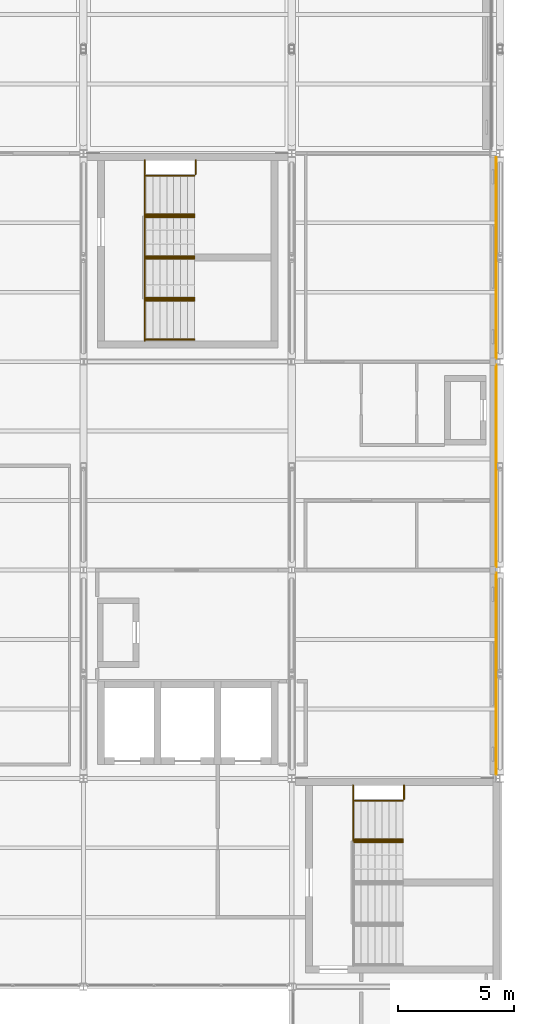
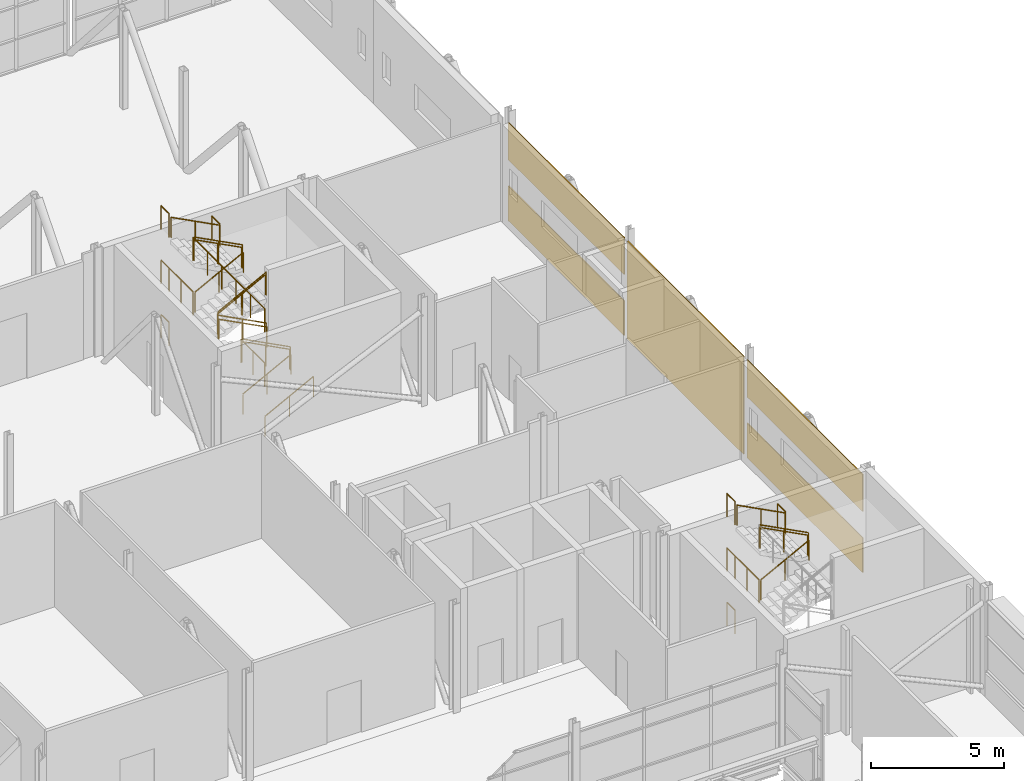
# One storey, part 93 of 94: 28 railings, 5 coverings.
"""IFC4 building model written with IfcOpenShell, lengths in metres."""

from ifc_helpers import new_model, si_unit, direction, frame, origin, origin_2d, place, context, subcontext, project, spatial, rectangle, circle, extrude, material, layer, layer_set, type_object, element, save


model = new_model("IFC4")

# Units and contexts
model_context = context("Model", 3, precision=1e-05, world=origin(), true_north=direction((0.0, 1.0)))
body_context = subcontext(model_context, "Body", "Model", "MODEL_VIEW")
ifc_project = project(units=[si_unit("LENGTHUNIT", "METRE"), si_unit("AREAUNIT", "SQUARE_METRE"), si_unit("VOLUMEUNIT", "CUBIC_METRE"), si_unit("PLANEANGLEUNIT", "RADIAN"), si_unit("MASSUNIT", "GRAM", prefix="KILO")], contexts=[model_context])

# Site, building, storey
site_placement = place(None, origin())
site = spatial("IfcSite", under=ifc_project, at=site_placement, CompositionType="ELEMENT")
building_placement = place(site_placement, origin())
building = spatial("IfcBuilding", under=site, at=building_placement, Name="Shorebreak Coast Museum", CompositionType="ELEMENT")
storey_placement = place(building_placement, frame((0.0, 0.0, 31.0)))
storey = spatial("IfcBuildingStorey", under=building, at=storey_placement, Name="L05", CompositionType="ELEMENT", Elevation=31.0)

# Railings
ifc_material_1 = material(Name="Steel Grade 300", Category="steel")
railing_type_1 = type_object("IfcRailingType", Name="Stair guard 1100", PredefinedType="GUARDRAIL", material=ifc_material_1)
railing_1_placement = place(storey_placement, frame((110.64990234375, 87.300048828125, 2.5)))
element("IfcRailing", 1, at=railing_1_placement, inside=storey, type_object=railing_type_1, Name="Guard ST04 L05 landing mid1", PredefinedType="GUARDRAIL", context=body_context, shape_type="SweptSolid", body=[
    extrude(circle(Radius=0.02490234375, at=origin_2d()), frame((0.0, 0.0, 1.0751953125), z_axis=(0.0, 1.0, 0.0), x_axis=(-1.0, 0.0, 0.0)), (0.0, 0.0, 1.0), 1.800048828125),
    extrude(circle(Radius=0.02001953125, at=origin_2d()), origin(), (0.0, 0.0, 1.0), 1.050048828125),
    extrude(circle(Radius=0.02001953125, at=origin_2d()), frame((0.0, 0.89990234375, 0.0)), (0.0, 0.0, 1.0), 1.050048828125),
    extrude(circle(Radius=0.02001953125, at=origin_2d()), frame((0.0, 1.800048828125, 0.0)), (0.0, 0.0, 1.0), 1.050048828125),
])
for number, where, name in (
    (2, (110.64990234375, 89.10009765625, 0.0), "Guard ST04 L05 landing strip"),
    (3, (110.64990234375, 89.10009765625, 2.5), "Guard ST04 L05 landing strip"),
    (4, (112.85009765625, 89.10009765625, 3.75), "Guard ST04 L05 landing strip"),
    (5, (110.64990234375, 89.10009765625, 5.0), "Guard ST04 L05 landing strip"),
):
    element("IfcRailing", number, at=place(storey_placement, frame(where)), inside=storey, type_object=railing_type_1, Name=name, PredefinedType="GUARDRAIL", context=body_context, shape_type="SweptSolid", body=[
        extrude(circle(Radius=0.02490234375, at=origin_2d()), frame((0.0, 0.0, 1.0751953125), z_axis=(0.0, 1.0, 0.0), x_axis=(-1.0, 0.0, 0.0)), (0.0, 0.0, 1.0), 0.599853515625),
        extrude(circle(Radius=0.02001953125, at=origin_2d()), origin(), (0.0, 0.0, 1.0), 1.050048828125),
        extrude(circle(Radius=0.02001953125, at=origin_2d()), frame((0.0, 0.599853515625, 0.0)), (0.0, 0.0, 1.0), 1.050048828125),
    ])
railing_2_placement = place(storey_placement, frame((112.800048828125, 87.300048828125, 3.90625)))
element("IfcRailing", 6, at=railing_2_placement, inside=storey, type_object=railing_type_1, Name="Guard ST04-L05 well 2", PredefinedType="GUARDRAIL", context=body_context, shape_type="SweptSolid", body=[
    extrude(circle(Radius=0.02490234375, at=origin_2d()), frame((0.0, 0.0, 1.0751953125), z_axis=(-0.8869228845, 0.0, 0.461917521804), x_axis=(0.0, -1.0, 0.0)), (0.0, 0.0, 1.0), 2.367919921875),
    extrude(circle(Radius=0.02001953125, at=origin_2d()), origin(), (0.0, 0.0, 1.0), 1.050048828125),
    extrude(circle(Radius=0.02001953125, at=origin_2d()), frame((-1.050048828125, 0.0, 0.546875)), (0.0, 0.0, 1.0), 1.050048828125),
    extrude(circle(Radius=0.02001953125, at=origin_2d()), frame((-2.10009765625, 0.0, 1.09375)), (0.0, 0.0, 1.0), 1.050048828125),
])
for number, where, name in (
    (7, (101.64990234375, 108.89990234375, 2.5), "Guard ST10 L05 landing mid1"),
    (8, (101.64990234375, 114.300048828125, 2.5), "Guard ST10 L05 landing mid1"),
):
    element("IfcRailing", number, at=place(storey_placement, frame(where)), inside=storey, type_object=railing_type_1, Name=name, PredefinedType="GUARDRAIL", context=body_context, shape_type="SweptSolid", body=[
        extrude(circle(Radius=0.02490234375, at=origin_2d()), frame((0.0, 0.0, 1.0751953125), z_axis=(0.0, 1.0, 0.0), x_axis=(-1.0, 0.0, 0.0)), (0.0, 0.0, 1.0), 1.800048828125),
        extrude(circle(Radius=0.02001953125, at=origin_2d()), origin(), (0.0, 0.0, 1.0), 1.050048828125),
        extrude(circle(Radius=0.02001953125, at=origin_2d()), frame((0.0, 0.89990234375, 0.0)), (0.0, 0.0, 1.0), 1.050048828125),
        extrude(circle(Radius=0.02001953125, at=origin_2d()), frame((0.0, 1.800048828125, 0.0)), (0.0, 0.0, 1.0), 1.050048828125),
    ])
railing_3_placement = place(storey_placement, frame((101.64990234375, 108.89990234375, 5.0)))
element("IfcRailing", 9, at=railing_3_placement, inside=storey, type_object=railing_type_1, Name="Guard ST10 L05 landing top", PredefinedType="GUARDRAIL", context=body_context, shape_type="SweptSolid", body=[
    extrude(circle(Radius=0.02490234375, at=origin_2d()), frame((0.0, 0.0, 1.0751953125), z_axis=(0.0, 1.0, 0.0), x_axis=(-1.0, 0.0, 0.0)), (0.0, 0.0, 1.0), 5.400146484375),
    extrude(circle(Radius=0.02001953125, at=origin_2d()), origin(), (0.0, 0.0, 1.0), 1.050048828125),
    extrude(circle(Radius=0.02001953125, at=origin_2d()), frame((0.0, 1.080078125, 0.0)), (0.0, 0.0, 1.0), 1.050048828125),
    extrude(circle(Radius=0.02001953125, at=origin_2d()), frame((0.0, 2.16015625, 0.0)), (0.0, 0.0, 1.0), 1.050048828125),
    extrude(circle(Radius=0.02001953125, at=origin_2d()), frame((0.0, 3.239990234375, 0.0)), (0.0, 0.0, 1.0), 1.050048828125),
    extrude(circle(Radius=0.02001953125, at=origin_2d()), frame((0.0, 4.320068359375, 0.0)), (0.0, 0.0, 1.0), 1.050048828125),
    extrude(circle(Radius=0.02001953125, at=origin_2d()), frame((0.0, 5.400146484375, 0.0)), (0.0, 0.0, 1.0), 1.050048828125),
])
for number, where, name in (
    (10, (101.64990234375, 116.10009765625, 0.0), "Guard ST10 L05 landing strip"),
    (11, (101.64990234375, 116.10009765625, 2.5), "Guard ST10 L05 landing strip"),
    (12, (103.85009765625, 116.10009765625, 3.75), "Guard ST10 L05 landing strip"),
    (13, (101.64990234375, 116.10009765625, 5.0), "Guard ST10 L05 landing strip"),
):
    element("IfcRailing", number, at=place(storey_placement, frame(where)), inside=storey, type_object=railing_type_1, Name=name, PredefinedType="GUARDRAIL", context=body_context, shape_type="SweptSolid", body=[
        extrude(circle(Radius=0.02490234375, at=origin_2d()), frame((0.0, 0.0, 1.0751953125), z_axis=(0.0, 1.0, 0.0), x_axis=(-1.0, 0.0, 0.0)), (0.0, 0.0, 1.0), 0.599853515625),
        extrude(circle(Radius=0.02001953125, at=origin_2d()), origin(), (0.0, 0.0, 1.0), 1.050048828125),
        extrude(circle(Radius=0.02001953125, at=origin_2d()), frame((0.0, 0.599853515625, 0.0)), (0.0, 0.0, 1.0), 1.050048828125),
    ])
for number, where, name in (
    (14, (103.800048828125, 110.699951171875, 1.40625), "Guard ST10-L05 well 1"),
    (15, (103.800048828125, 114.300048828125, 3.90625), "Guard ST10-L05 well 2"),
    (16, (103.800048828125, 112.5, 1.40625), "Guard ST10-L05 side 1"),
):
    element("IfcRailing", number, at=place(storey_placement, frame(where)), inside=storey, type_object=railing_type_1, Name=name, PredefinedType="GUARDRAIL", context=body_context, shape_type="SweptSolid", body=[
        extrude(circle(Radius=0.02490234375, at=origin_2d()), frame((0.0, 0.0, 1.0751953125), z_axis=(-0.8869228845, 0.0, 0.461917521804), x_axis=(0.0, -1.0, 0.0)), (0.0, 0.0, 1.0), 2.367919921875),
        extrude(circle(Radius=0.02001953125, at=origin_2d()), origin(), (0.0, 0.0, 1.0), 1.050048828125),
        extrude(circle(Radius=0.02001953125, at=origin_2d()), frame((-1.050048828125, 0.0, 0.546875)), (0.0, 0.0, 1.0), 1.050048828125),
        extrude(circle(Radius=0.02001953125, at=origin_2d()), frame((-2.10009765625, 0.0, 1.09375)), (0.0, 0.0, 1.0), 1.050048828125),
    ])
railing_4_placement = place(storey_placement, frame((101.699951171875, 112.5, 2.65625)))
element("IfcRailing", 17, at=railing_4_placement, inside=storey, type_object=railing_type_1, Name="Guard ST10-L05 side 2", PredefinedType="GUARDRAIL", context=body_context, shape_type="SweptSolid", body=[
    extrude(circle(Radius=0.02490234375, at=origin_2d()), frame((0.0, 0.0, 1.0751953125), z_axis=(0.8869228845, 0.0, 0.461917521804), x_axis=(0.0, 1.0, 0.0)), (0.0, 0.0, 1.0), 2.367919921875),
    extrude(circle(Radius=0.02001953125, at=origin_2d()), origin(), (0.0, 0.0, 1.0), 1.050048828125),
    extrude(circle(Radius=0.02001953125, at=origin_2d()), frame((1.050048828125, 0.0, 0.546875)), (0.0, 0.0, 1.0), 1.050048828125),
    extrude(circle(Radius=0.02001953125, at=origin_2d()), frame((2.10009765625, 0.0, 1.09375)), (0.0, 0.0, 1.0), 1.050048828125),
])
ifc_material_2 = material(Name="Steel Grade 300", Category="steel")
railing_type_2 = type_object("IfcRailingType", Name="Stair handrail 950", PredefinedType="HANDRAIL", material=ifc_material_2)
railing_5_placement = place(storey_placement, frame((110.699951171875, 87.239990234375, 2.65625)))
element("IfcRailing", 18, at=railing_5_placement, inside=storey, type_object=railing_type_2, Name="Handrail ST04-L05 flight 3b", PredefinedType="HANDRAIL", context=body_context, shape_type="SweptSolid", body=[
    extrude(circle(Radius=0.02490234375, at=origin_2d()), frame((0.0, 0.0, 0.9248046875), z_axis=(0.8869228845, 0.0, 0.461917521804), x_axis=(0.0, 1.0, 0.0)), (0.0, 0.0, 1.0), 2.367919921875),
    extrude(circle(Radius=0.02001953125, at=origin_2d()), origin(), (0.0, 0.0, 1.0), 0.89990234375),
    extrude(circle(Radius=0.02001953125, at=origin_2d()), frame((1.050048828125, 0.0, 0.546875)), (0.0, 0.0, 1.0), 0.89990234375),
    extrude(circle(Radius=0.02001953125, at=origin_2d()), frame((2.10009765625, 0.0, 1.09375)), (0.0, 0.0, 1.0), 0.89990234375),
])
for number, where, name in (
    (19, (112.800048828125, 87.360107421875, 3.90625), "Handrail ST04-L05 flight 4a"),
    (20, (112.800048828125, 89.0400390625, 3.90625), "Handrail ST04-L05 flight 4b"),
):
    element("IfcRailing", number, at=place(storey_placement, frame(where)), inside=storey, type_object=railing_type_2, Name=name, PredefinedType="HANDRAIL", context=body_context, shape_type="SweptSolid", body=[
        extrude(circle(Radius=0.02490234375, at=origin_2d()), frame((0.0, 0.0, 0.9248046875), z_axis=(-0.8869228845, 0.0, 0.461917521804), x_axis=(0.0, -1.0, 0.0)), (0.0, 0.0, 1.0), 2.367919921875),
        extrude(circle(Radius=0.02001953125, at=origin_2d()), origin(), (0.0, 0.0, 1.0), 0.89990234375),
        extrude(circle(Radius=0.02001953125, at=origin_2d()), frame((-1.050048828125, 0.0, 0.546875)), (0.0, 0.0, 1.0), 0.89990234375),
        extrude(circle(Radius=0.02001953125, at=origin_2d()), frame((-2.10009765625, 0.0, 1.09375)), (0.0, 0.0, 1.0), 0.89990234375),
    ])
for number, where, name in (
    (21, (101.699951171875, 108.9599609375, 0.15625), "Handrail ST10-L05 flight 1a"),
    (22, (101.699951171875, 110.639892578125, 0.15625), "Handrail ST10-L05 flight 1b"),
):
    element("IfcRailing", number, at=place(storey_placement, frame(where)), inside=storey, type_object=railing_type_2, Name=name, PredefinedType="HANDRAIL", context=body_context, shape_type="SweptSolid", body=[
        extrude(circle(Radius=0.02490234375, at=origin_2d()), frame((0.0, 0.0, 0.9248046875), z_axis=(0.8869228845, 0.0, 0.461917521804), x_axis=(0.0, 1.0, 0.0)), (0.0, 0.0, 1.0), 2.367919921875),
        extrude(circle(Radius=0.02001953125, at=origin_2d()), origin(), (0.0, 0.0, 1.0), 0.89990234375),
        extrude(circle(Radius=0.02001953125, at=origin_2d()), frame((1.050048828125, 0.0, 0.546875)), (0.0, 0.0, 1.0), 0.89990234375),
        extrude(circle(Radius=0.02001953125, at=origin_2d()), frame((2.10009765625, 0.0, 1.09375)), (0.0, 0.0, 1.0), 0.89990234375),
    ])
for number, where, name in (
    (23, (103.800048828125, 110.760009765625, 1.40625), "Handrail ST10-L05 flight 2a"),
    (24, (103.800048828125, 112.43994140625, 1.40625), "Handrail ST10-L05 flight 2b"),
):
    element("IfcRailing", number, at=place(storey_placement, frame(where)), inside=storey, type_object=railing_type_2, Name=name, PredefinedType="HANDRAIL", context=body_context, shape_type="SweptSolid", body=[
        extrude(circle(Radius=0.02490234375, at=origin_2d()), frame((0.0, 0.0, 0.9248046875), z_axis=(-0.8869228845, 0.0, 0.461917521804), x_axis=(0.0, -1.0, 0.0)), (0.0, 0.0, 1.0), 2.367919921875),
        extrude(circle(Radius=0.02001953125, at=origin_2d()), origin(), (0.0, 0.0, 1.0), 0.89990234375),
        extrude(circle(Radius=0.02001953125, at=origin_2d()), frame((-1.050048828125, 0.0, 0.546875)), (0.0, 0.0, 1.0), 0.89990234375),
        extrude(circle(Radius=0.02001953125, at=origin_2d()), frame((-2.10009765625, 0.0, 1.09375)), (0.0, 0.0, 1.0), 0.89990234375),
    ])
for number, where, name in (
    (25, (101.699951171875, 112.56005859375, 2.65625), "Handrail ST10-L05 flight 3a"),
    (26, (101.699951171875, 114.239990234375, 2.65625), "Handrail ST10-L05 flight 3b"),
):
    element("IfcRailing", number, at=place(storey_placement, frame(where)), inside=storey, type_object=railing_type_2, Name=name, PredefinedType="HANDRAIL", context=body_context, shape_type="SweptSolid", body=[
        extrude(circle(Radius=0.02490234375, at=origin_2d()), frame((0.0, 0.0, 0.9248046875), z_axis=(0.8869228845, 0.0, 0.461917521804), x_axis=(0.0, 1.0, 0.0)), (0.0, 0.0, 1.0), 2.367919921875),
        extrude(circle(Radius=0.02001953125, at=origin_2d()), origin(), (0.0, 0.0, 1.0), 0.89990234375),
        extrude(circle(Radius=0.02001953125, at=origin_2d()), frame((1.050048828125, 0.0, 0.546875)), (0.0, 0.0, 1.0), 0.89990234375),
        extrude(circle(Radius=0.02001953125, at=origin_2d()), frame((2.10009765625, 0.0, 1.09375)), (0.0, 0.0, 1.0), 0.89990234375),
    ])
for number, where, name in (
    (27, (103.800048828125, 114.360107421875, 3.90625), "Handrail ST10-L05 flight 4a"),
    (28, (103.800048828125, 116.0400390625, 3.90625), "Handrail ST10-L05 flight 4b"),
):
    element("IfcRailing", number, at=place(storey_placement, frame(where)), inside=storey, type_object=railing_type_2, Name=name, PredefinedType="HANDRAIL", context=body_context, shape_type="SweptSolid", body=[
        extrude(circle(Radius=0.02490234375, at=origin_2d()), frame((0.0, 0.0, 0.9248046875), z_axis=(-0.8869228845, 0.0, 0.461917521804), x_axis=(0.0, -1.0, 0.0)), (0.0, 0.0, 1.0), 2.367919921875),
        extrude(circle(Radius=0.02001953125, at=origin_2d()), origin(), (0.0, 0.0, 1.0), 0.89990234375),
        extrude(circle(Radius=0.02001953125, at=origin_2d()), frame((-1.050048828125, 0.0, 0.546875)), (0.0, 0.0, 1.0), 0.89990234375),
        extrude(circle(Radius=0.02001953125, at=origin_2d()), frame((-2.10009765625, 0.0, 1.09375)), (0.0, 0.0, 1.0), 0.89990234375),
    ])

# Coverings
ifc_material_3 = material(Name="Aluminium", Category="aluminium")
ifc_layer = layer(ifc_material_3, 0.0400390625)
ifc_layer_set = layer_set([ifc_layer], Name="Aluminium")
covering_type = type_object("IfcCoveringType", Name="Zinc standing-seam panel 40", PredefinedType="CLADDING", material=ifc_layer_set)
covering_1_placement = place(storey_placement, frame((116.82958984375, 94.518310546875, 0.0), z_axis=(0.0, 0.0, 1.0), x_axis=(1.0, 0.0, 0.0)))
element("IfcCovering", 29, at=covering_1_placement, inside=storey, type_object=covering_type, Name="Zinc cladding L05 E1", PredefinedType="CLADDING", context=body_context, shape_type="SweptSolid", body=[
    extrude(rectangle(XDim=0.0400390625, YDim=8.70947265625, at=origin_2d()), origin(), (0.0, 0.0, 1.0), 1.60009765625),
])
covering_2_placement = place(storey_placement, frame((116.82958984375, 94.518310546875, 2.7998046875), z_axis=(0.0, 0.0, 1.0), x_axis=(1.0, 0.0, 0.0)))
element("IfcCovering", 30, at=covering_2_placement, inside=storey, type_object=covering_type, Name="Zinc cladding L05 E2", PredefinedType="CLADDING", context=body_context, shape_type="SweptSolid", body=[
    extrude(rectangle(XDim=0.0400390625, YDim=8.70947265625, at=origin_2d()), origin(), (0.0, 0.0, 1.0), 1.704345703125),
])
covering_3_placement = place(storey_placement, frame((116.82958984375, 103.5, 0.0), z_axis=(0.0, 0.0, 1.0), x_axis=(1.0, 0.0, 0.0)))
element("IfcCovering", 31, at=covering_3_placement, inside=storey, type_object=covering_type, Name="Zinc cladding L05 E3", PredefinedType="CLADDING", context=body_context, shape_type="SweptSolid", body=[
    extrude(rectangle(XDim=0.0400390625, YDim=8.74609375, at=origin_2d()), origin(), (0.0, 0.0, 1.0), 4.50439453125),
])
covering_4_placement = place(storey_placement, frame((116.82958984375, 112.481689453125, 0.0), z_axis=(0.0, 0.0, 1.0), x_axis=(1.0, 0.0, 0.0)))
element("IfcCovering", 32, at=covering_4_placement, inside=storey, type_object=covering_type, Name="Zinc cladding L05 E4", PredefinedType="CLADDING", context=body_context, shape_type="SweptSolid", body=[
    extrude(rectangle(XDim=0.0400390625, YDim=8.70947265625, at=origin_2d()), origin(), (0.0, 0.0, 1.0), 1.60009765625),
])
covering_5_placement = place(storey_placement, frame((116.82958984375, 112.481689453125, 2.7998046875), z_axis=(0.0, 0.0, 1.0), x_axis=(1.0, 0.0, 0.0)))
element("IfcCovering", 33, at=covering_5_placement, inside=storey, type_object=covering_type, Name="Zinc cladding L05 E5", PredefinedType="CLADDING", context=body_context, shape_type="SweptSolid", body=[
    extrude(rectangle(XDim=0.0400390625, YDim=8.70947265625, at=origin_2d()), origin(), (0.0, 0.0, 1.0), 1.704345703125),
])

save(model, "model.ifc")
